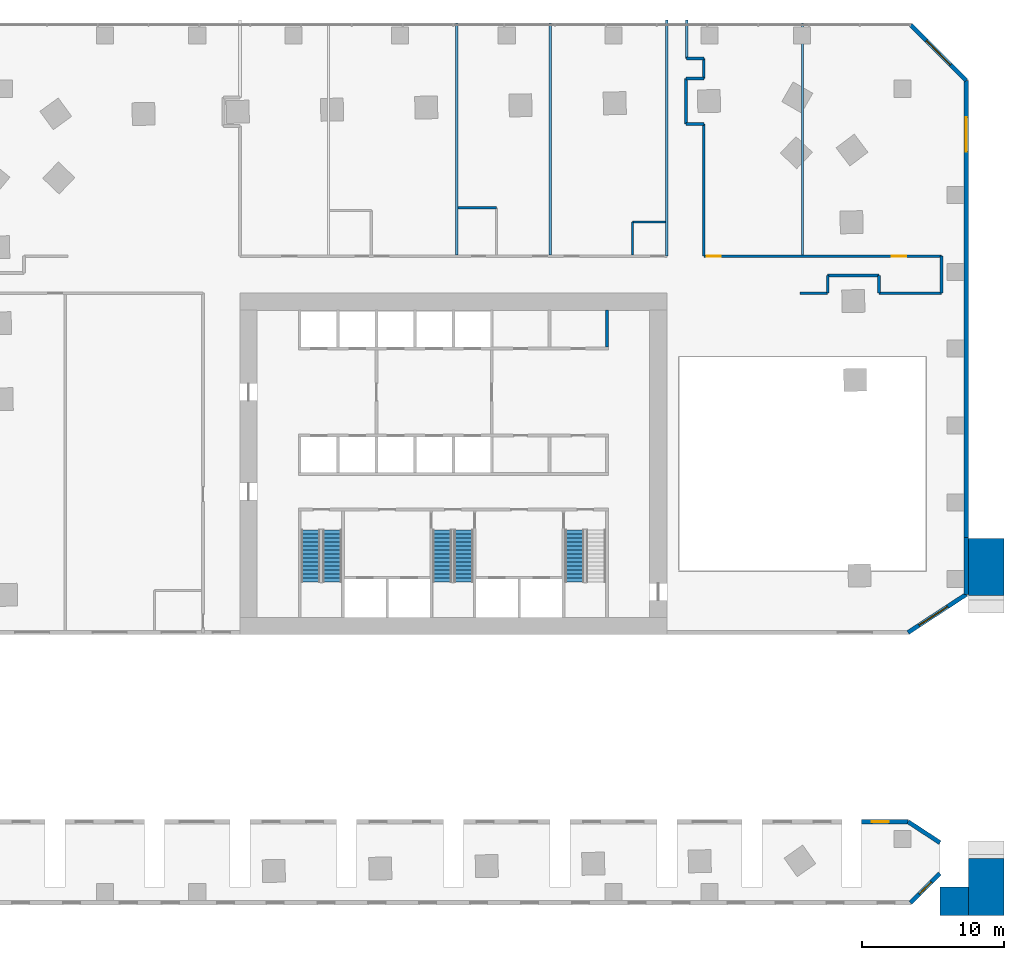
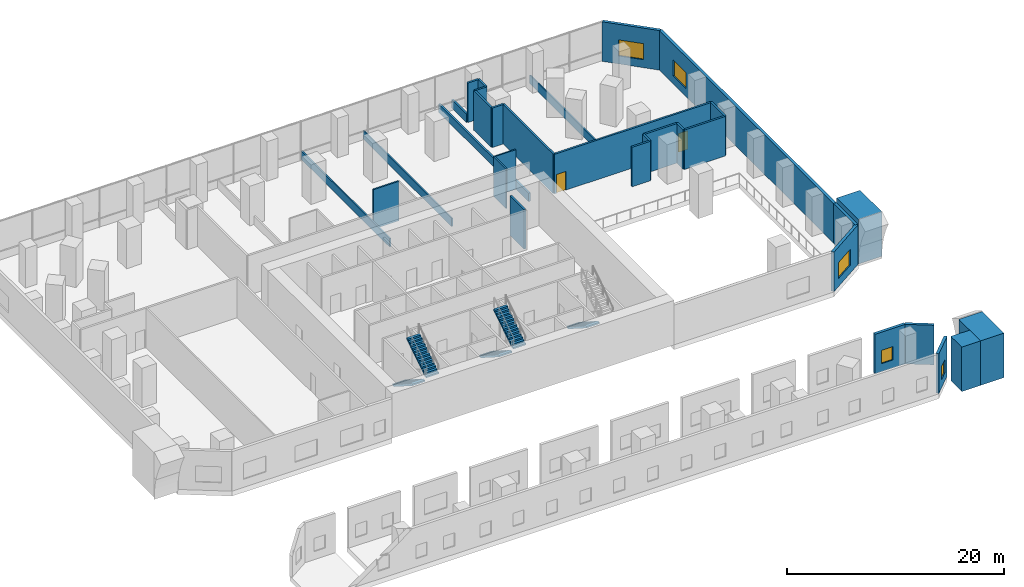
# One storey, part 9 of 12: 32 walls, 5 stair flights, 5 windows, 2 doors, 7 openings, 3 elements without a shape of their own.
"""IFC4 building model written with IfcOpenShell, lengths in metres."""

import ifcopenshell
import ifcopenshell.guid

model = None  # the IFC model being written
_history = None  # IfcOwnerHistory: only IFC2X3 demands one
_inside = {}  # id of a spatial element -> (the spatial element, [elements in it])
_under = {}  # id of a project, library or spatial element -> (it, [spatial elements below it])
_declared = {}  # id of a project -> (the project, [libraries it declares])
_typed = {}  # id of a type object -> (the type object, [elements of that type])
_made_of = {}  # id of a material, layer set ... -> (it, [elements and type objects made of it])


def new_model(schema):
    """Start an empty IFC model of exactly this schema.

    Asked for "IFC4X3", IfcOpenShell would pick the latest addendum, in which some entities
    have other attributes; the version numbers below select the first issue.
    IFC2X3 requires an IfcOwnerHistory on every rooted entity: one is made here for all.
    """
    global model, _history
    if schema == "IFC4X3":
        model = ifcopenshell.file(schema_version=(4, 3, 0, 0))
    else:
        model = ifcopenshell.file(schema=schema)
    _inside.clear()
    _under.clear()
    _declared.clear()
    _typed.clear()
    _made_of.clear()
    _history = None
    if model.schema == "IFC2X3":
        org = make("IfcOrganization", Name="unknown")
        user = make(
            "IfcPersonAndOrganization",
            ThePerson=make("IfcPerson", FamilyName="unknown"),
            TheOrganization=org,
        )
        app = make(
            "IfcApplication",
            ApplicationDeveloper=org,
            Version="unknown",
            ApplicationFullName="unknown",
            ApplicationIdentifier="unknown",
        )
        _history = make(
            "IfcOwnerHistory",
            OwningUser=user,
            OwningApplication=app,
            ChangeAction="ADDED",
            CreationDate=0,
        )
    return model


def make(cls, **values):
    """One entity of the class cls with the attributes given. An attribute that is None is left unset."""
    return model.create_entity(
        cls, **{name: value for name, value in values.items() if value is not None}
    )


def rooted(cls, **values):
    """An entity with a GlobalId (a new one), such as an element, a storey or a relation."""
    return make(cls, GlobalId=ifcopenshell.guid.new(), OwnerHistory=_history, **values)


def si_unit(unit_type, name, prefix=None):
    """IfcSIUnit, for example si_unit("LENGTHUNIT", "METRE", prefix="MILLI")."""
    return make("IfcSIUnit", UnitType=unit_type, Prefix=prefix, Name=name)


def assignment(units):
    """IfcUnitAssignment: the units of a project."""
    return None if units is None else make("IfcUnitAssignment", Units=units)


def point(xyz):
    """IfcCartesianPoint."""
    return None if xyz is None else make("IfcCartesianPoint", Coordinates=xyz)


def direction(xyz):
    """IfcDirection."""
    return None if xyz is None else make("IfcDirection", DirectionRatios=xyz)


def frame(location, z_axis=None, x_axis=None):
    """IfcAxis2Placement3D, a coordinate frame: its origin and axes. An axis left out is left unset."""
    return make(
        "IfcAxis2Placement3D",
        Location=point(location),
        Axis=direction(z_axis),
        RefDirection=direction(x_axis),
    )


def frame_2d(location, x_axis=None):
    """IfcAxis2Placement2D, a coordinate frame in the plane: its origin and x axis."""
    return make(
        "IfcAxis2Placement2D", Location=point(location), RefDirection=direction(x_axis)
    )


def origin():
    """The frame at (0, 0, 0) with its axes left unset."""
    return frame((0.0, 0.0, 0.0))


def place(relative_to, where):
    """IfcLocalPlacement: puts the frame where relative to a parent placement (None: the world)."""
    return make(
        "IfcLocalPlacement", PlacementRelTo=relative_to, RelativePlacement=where
    )


def context(
    kind, dimensions, precision=None, world=None, true_north=None, identifier=None
):
    """IfcGeometricRepresentationContext, for example the 3D "Model" context."""
    return make(
        "IfcGeometricRepresentationContext",
        ContextIdentifier=identifier,
        ContextType=kind,
        CoordinateSpaceDimension=dimensions,
        Precision=precision,
        WorldCoordinateSystem=world,
        TrueNorth=true_north,
    )


def subcontext(parent, identifier, kind, view, scale=None):
    """IfcGeometricRepresentationSubContext, for example "Body" below "Model"."""
    return make(
        "IfcGeometricRepresentationSubContext",
        ContextIdentifier=identifier,
        ContextType=kind,
        ParentContext=parent,
        TargetScale=scale,
        TargetView=view,
    )


def project(units=None, contexts=None):
    """IfcProject with its units and contexts."""
    return rooted(
        "IfcProject",
        Name="project",
        RepresentationContexts=contexts,
        UnitsInContext=assignment(units),
    )


def spatial(cls, under=None, at=None, **own):
    """A site, building, storey or space (cls), placed at a placement, below another one or the project."""
    s = rooted(cls, ObjectPlacement=at, **own)
    if under is not None:
        _under.setdefault(under.id(), (under, []))[1].append(s)
    return s


def polyline(points):
    """IfcPolyline through the points."""
    return make("IfcPolyline", Points=[point(p) for p in points])


def profile(cls, at=None, kind="AREA", **sizes):
    """A parametric profile (cls). Its sizes go by their IFC names, for example OverallWidth=200.0."""
    return make(cls, ProfileType=kind, Position=at, **sizes)


def rectangle(**sizes):
    """IfcRectangleProfileDef."""
    return profile("IfcRectangleProfileDef", **sizes)


def outline(outer, holes=None, kind="AREA"):
    """IfcArbitraryClosedProfileDef: a profile drawn as a closed curve; with holes, ...WithVoids."""
    if holes is None:
        return make("IfcArbitraryClosedProfileDef", ProfileType=kind, OuterCurve=outer)
    return make(
        "IfcArbitraryProfileDefWithVoids",
        ProfileType=kind,
        OuterCurve=outer,
        InnerCurves=holes,
    )


def extrude(swept, where, along, depth):
    """IfcExtrudedAreaSolid: the profile swept, set in the frame where, extruded along a direction by depth."""
    return make(
        "IfcExtrudedAreaSolid",
        SweptArea=swept,
        Position=where,
        ExtrudedDirection=direction(along),
        Depth=depth,
    )


def shape(context_of_items, identifier, shape_type, items):
    """IfcShapeRepresentation: the items that make up one representation, for example the "Body"."""
    return make(
        "IfcShapeRepresentation",
        ContextOfItems=context_of_items,
        RepresentationIdentifier=identifier,
        RepresentationType=shape_type,
        Items=items,
    )


def material(Name=None, Category=None):
    """IfcMaterial."""
    return make("IfcMaterial", Name=Name, Category=Category)


def layer(
    of_material, thickness, ventilated=None, Name=None, Category=None, Priority=None
):
    """IfcMaterialLayer: one layer of a wall or slab, of a material (None: an air gap)."""
    return make(
        "IfcMaterialLayer",
        Material=of_material,
        LayerThickness=thickness,
        IsVentilated=ventilated,
        Name=Name,
        Category=Category,
        Priority=Priority,
    )


def layer_set(layers, Name=None):
    """IfcMaterialLayerSet."""
    return make("IfcMaterialLayerSet", MaterialLayers=layers, LayerSetName=Name)


def made_of(thing, what):
    """Note that an element or type object is made of a material, layer set ...; save() writes the relation."""
    if what is not None:
        _made_of.setdefault(what.id(), (what, []))[1].append(thing)
    return thing


def type_object(cls, material=None, **own):
    """A type object (cls), such as IfcWallType, which elements share."""
    return made_of(rooted(cls, **own), material)


def element(
    cls,
    number,
    at=None,
    inside=None,
    cuts=None,
    type_object=None,
    material=None,
    context=None,
    identifier="Body",
    shape_type=None,
    held_by="IfcProductDefinitionShape",
    body=None,
    shapes=None,
    **own,
):
    """One element of the class cls, such as IfcWall. Its Tag is "e" and its number.

    at: its placement. inside: the storey or other place that contains it. cuts: it is an
    opening in that element (IfcRelVoidsElement). A single representation is given by context,
    identifier, shape_type and body (its items); several are given by shapes. held_by: the class
    of the entity that holds the representations. save() writes the other relations.
    """
    e = rooted(cls, Tag="e%d" % number, ObjectPlacement=at, **own)
    if body is not None:
        shapes = [shape(context, identifier, shape_type, body)]
    if shapes is not None:
        e.Representation = make(held_by, Representations=shapes)
    if inside is not None:
        _inside.setdefault(inside.id(), (inside, []))[1].append(e)
    if cuts is not None:
        rooted(
            "IfcRelVoidsElement", RelatingBuildingElement=cuts, RelatedOpeningElement=e
        )
    if type_object is not None:
        _typed.setdefault(type_object.id(), (type_object, []))[1].append(e)
    return made_of(e, material)


def fill(opening, filler):
    """IfcRelFillsElement: the door or window that sits in an opening."""
    return rooted(
        "IfcRelFillsElement",
        RelatingOpeningElement=opening,
        RelatedBuildingElement=filler,
    )


def aggregate(whole, parts):
    """IfcRelAggregates: a whole, such as a stair, and the parts it consists of."""
    return rooted("IfcRelAggregates", RelatingObject=whole, RelatedObjects=parts)


def save(model, path):
    """Write the relations noted so far, then the file.

    IfcRelAggregates (storeys below a building ...), IfcRelContainedInSpatialStructure (elements
    in a storey), IfcRelDefinesByType, IfcRelAssociatesMaterial and IfcRelDeclares: one each for
    every whole, place, type object, material and project.
    """
    for whole, parts in _under.values():
        aggregate(whole, parts)
    for where, things in _inside.values():
        rooted(
            "IfcRelContainedInSpatialStructure",
            RelatedElements=things,
            RelatingStructure=where,
        )
    for kind, things in _typed.values():
        rooted("IfcRelDefinesByType", RelatedObjects=things, RelatingType=kind)
    for what, things in _made_of.values():
        rooted("IfcRelAssociatesMaterial", RelatedObjects=things, RelatingMaterial=what)
    for by, libraries in _declared.values():
        rooted("IfcRelDeclares", RelatingContext=by, RelatedDefinitions=libraries)
    model.write(path)


model = new_model("IFC4")

# Units and contexts
model_context = context("Model", 3, precision=1e-05, world=origin(), true_north=direction((0.0, 1.0)))
body_context = subcontext(model_context, "Body", "Model", "MODEL_VIEW")
ifc_project = project(units=[si_unit("LENGTHUNIT", "METRE"), si_unit("AREAUNIT", "SQUARE_METRE"), si_unit("VOLUMEUNIT", "CUBIC_METRE"), si_unit("PLANEANGLEUNIT", "RADIAN"), si_unit("MASSUNIT", "GRAM", prefix="KILO")], contexts=[model_context])

# Site, building, storey
site_placement = place(None, origin())
site = spatial("IfcSite", under=ifc_project, at=site_placement, CompositionType="ELEMENT")
building_placement = place(site_placement, origin())
building = spatial("IfcBuilding", under=site, at=building_placement, Name="Mangrove Gate Tower", CompositionType="ELEMENT")
storey_placement = place(building_placement, frame((0.0, 0.0, 11.0)))
storey = spatial("IfcBuildingStorey", under=building, at=storey_placement, Name="L02", CompositionType="ELEMENT", Elevation=11.0)

# Walls
ifc_material_1 = material(Name="Concrete C32/40", Category="concrete")
ifc_layer_1 = layer(ifc_material_1, 0.199951171875)
ifc_layer_set_1 = layer_set([ifc_layer_1], Name="Core room wall 200 C32/40")
wall_type_1 = type_object("IfcWallType", Name="Core room wall 200 C32/40", PredefinedType="STANDARD", material=ifc_layer_set_1)
wall_1_placement = place(storey_placement, frame((10.800048828125, 8.199951171875, 0.0), z_axis=(0.0, 0.0, 1.0), x_axis=(0.0, 1.0, 0.0)))
element("IfcWall", 1, at=wall_1_placement, inside=storey, type_object=wall_type_1, Name="WALL-L02-CORE-34", PredefinedType="STANDARD", context=body_context, shape_type="SweptSolid", body=[
    extrude(rectangle(XDim=2.60009765625, YDim=0.199951171875, at=frame_2d((1.300048828125, 0.0))), origin(), (0.0, 0.0, 1.0), 4.449951171875),
])
ifc_material_2 = material(Name="Gypsum board on steel stud, EI 60", Category="steel")
ifc_layer_2 = layer(ifc_material_2, 0.199951171875)
ifc_layer_set_2 = layer_set([ifc_layer_2], Name="Corridor wall EI 60")
wall_type_2 = type_object("IfcWallType", Name="Corridor wall EI 60", PredefinedType="PARTITIONING", material=ifc_layer_set_2)
wall_2_placement = place(storey_placement, frame((24.345947265625, 12.0, 0.0), z_axis=(0.0, 0.0, 1.0), x_axis=(1.0, 0.0, 0.0)))
element("IfcWall", 2, at=wall_2_placement, inside=storey, type_object=wall_type_2, Name="WALL-L02-007", PredefinedType="PARTITIONING", context=body_context, shape_type="SweptSolid", body=[
    extrude(rectangle(XDim=1.964111328125, YDim=0.199951171875, at=frame_2d((0.98193359375, 0.0))), origin(), (0.0, 0.0, 1.0), 4.449951171875),
])
wall_3_placement = place(storey_placement, frame((26.31005859375, 12.0, 0.0), z_axis=(0.0, 0.0, 1.0), x_axis=(0.0, 1.0, 0.0)))
element("IfcWall", 3, at=wall_3_placement, inside=storey, type_object=wall_type_2, Name="WALL-L02-008", PredefinedType="PARTITIONING", context=body_context, shape_type="SweptSolid", body=[
    extrude(rectangle(XDim=1.243896484375, YDim=0.199951171875, at=frame_2d((0.6220703125, 0.0))), origin(), (0.0, 0.0, 1.0), 4.449951171875),
])
wall_4_placement = place(storey_placement, frame((29.909912109375, 12.0, 0.0), z_axis=(0.0, 0.0, 1.0), x_axis=(1.0, 0.0, 0.0)))
element("IfcWall", 4, at=wall_4_placement, inside=storey, type_object=wall_type_2, Name="WALL-L02-009", PredefinedType="PARTITIONING", context=body_context, shape_type="SweptSolid", body=[
    extrude(rectangle(XDim=4.39013671875, YDim=0.199951171875, at=frame_2d((2.195068359375, 0.0))), origin(), (0.0, 0.0, 1.0), 4.449951171875),
])
wall_5_placement = place(storey_placement, frame((29.909912109375, 12.0, 0.0), z_axis=(0.0, 0.0, 1.0), x_axis=(0.0, 1.0, 0.0)))
element("IfcWall", 5, at=wall_5_placement, inside=storey, type_object=wall_type_2, Name="WALL-L02-010", PredefinedType="PARTITIONING", context=body_context, shape_type="SweptSolid", body=[
    extrude(rectangle(XDim=1.243896484375, YDim=0.199951171875, at=frame_2d((0.6220703125, 0.0))), origin(), (0.0, 0.0, 1.0), 4.449951171875),
])
wall_6_placement = place(storey_placement, frame((34.300048828125, 12.0, 0.0), z_axis=(0.0, 0.0, 1.0), x_axis=(0.0, 1.0, 0.0)))
element("IfcWall", 6, at=wall_6_placement, inside=storey, type_object=wall_type_2, Name="WALL-L02-011", PredefinedType="PARTITIONING", context=body_context, shape_type="SweptSolid", body=[
    extrude(rectangle(XDim=2.60009765625, YDim=0.199951171875, at=frame_2d((1.300048828125, 0.0))), origin(), (0.0, 0.0, 1.0), 4.449951171875),
])
wall_7_placement = place(storey_placement, frame((26.31005859375, 13.239990234375, 0.0), z_axis=(0.0, 0.0, 1.0), x_axis=(1.0, 0.0, 0.0)))
element("IfcWall", 7, at=wall_7_placement, inside=storey, type_object=wall_type_2, Name="WALL-L02-012", PredefinedType="PARTITIONING", context=body_context, shape_type="SweptSolid", body=[
    extrude(rectangle(XDim=3.599853515625, YDim=0.199951171875, at=frame_2d((1.7998046875, 0.0))), origin(), (0.0, 0.0, 1.0), 4.449951171875),
])
wall_8_placement = place(storey_placement, frame((15.0, 14.60009765625, 0.0), z_axis=(0.0, 0.0, 1.0), x_axis=(0.0, 1.0, 0.0)))
element("IfcWall", 8, at=wall_8_placement, inside=storey, type_object=wall_type_2, Name="WALL-L02-024", PredefinedType="PARTITIONING", context=body_context, shape_type="SweptSolid", body=[
    extrude(rectangle(XDim=16.599853515625, YDim=0.199951171875, at=frame_2d((8.2998046875, 0.0))), origin(), (0.0, 0.0, 1.0), 0.93994140625),
])

# Wall, openings, doors
wall_9_placement = place(storey_placement, frame((17.60009765625, 14.60009765625, 0.0), z_axis=(0.0, 0.0, 1.0), x_axis=(1.0, 0.0, 0.0)))
wall_9 = element("IfcWall", 9, at=wall_9_placement, inside=storey, type_object=wall_type_2, Name="WALL-L02-025", PredefinedType="PARTITIONING", context=body_context, shape_type="SweptSolid", body=[
    extrude(rectangle(XDim=16.699951171875, YDim=0.199951171875, at=frame_2d((8.35009765625, 0.0))), origin(), (0.0, 0.0, 1.0), 4.449951171875),
])
opening_1_placement = place(wall_9_placement, frame((13.219970703125, 0.0, 0.0)))
opening_1 = element("IfcOpeningElement", 10, at=opening_1_placement, cuts=wall_9, Name="Opening AD", PredefinedType="OPENING", context=body_context, shape_type="SweptSolid", body=[
    extrude(rectangle(XDim=1.0, YDim=2.10009765625, at=frame_2d((0.5, 1.050048828125))), frame((0.0, 0.10986328125, 0.0), z_axis=(0.0, -1.0, 0.0), x_axis=(1.0, 0.0, 0.0)), (0.0, 0.0, 1.0), 0.219970703125),
])
opening_2_placement = place(wall_9_placement, frame((0.199951171875, 0.0, 0.0)))
opening_2 = element("IfcOpeningElement", 11, at=opening_2_placement, cuts=wall_9, Name="Opening AD", PredefinedType="OPENING", context=body_context, shape_type="SweptSolid", body=[
    extrude(rectangle(XDim=1.0, YDim=2.10009765625, at=frame_2d((0.5, 1.050048828125))), frame((0.0, 0.10986328125, 0.0), z_axis=(0.0, -1.0, 0.0), x_axis=(1.0, 0.0, 0.0)), (0.0, 0.0, 1.0), 0.219970703125),
])
ifc_material_3 = material(Name="Timber door leaf", Category="wood")
door_type = type_object("IfcDoorType", Name="Amenity door 1000", OperationType="SINGLE_SWING_LEFT", PredefinedType="DOOR", material=ifc_material_3)
door_1_placement = place(opening_1_placement, origin())
door_1 = element("IfcDoor", 12, at=door_1_placement, inside=storey, type_object=door_type, Name="DOOR-L02-POD-03", OperationType="SINGLE_SWING_LEFT", OverallHeight=2.10009765625, OverallWidth=1.0, PredefinedType="DOOR", context=body_context, shape_type="SweptSolid", body=[
    extrude(rectangle(XDim=1.0, YDim=2.10009765625, at=frame_2d((0.5, 1.050048828125))), frame((0.0, 0.02490234375, 0.0), z_axis=(0.0, -1.0, 0.0), x_axis=(1.0, 0.0, 0.0)), (0.0, 0.0, 1.0), 0.050048828125),
])
fill(opening_1, door_1)
door_2_placement = place(opening_2_placement, origin())
door_2 = element("IfcDoor", 13, at=door_2_placement, inside=storey, type_object=door_type, Name="DOOR-L02-POD-08", OperationType="SINGLE_SWING_RIGHT", OverallHeight=2.10009765625, OverallWidth=1.0, PredefinedType="DOOR", context=body_context, shape_type="SweptSolid", body=[
    extrude(rectangle(XDim=1.0, YDim=2.10009765625, at=frame_2d((0.5, 1.050048828125))), frame((0.0, 0.02490234375, 0.0), z_axis=(0.0, -1.0, 0.0), x_axis=(1.0, 0.0, 0.0)), (0.0, 0.0, 1.0), 0.050048828125),
])
fill(opening_2, door_2)

# Walls
wall_10_placement = place(storey_placement, frame((17.60009765625, 14.60009765625, 0.0), z_axis=(0.0, 0.0, 1.0), x_axis=(0.0, 1.0, 0.0)))
element("IfcWall", 14, at=wall_10_placement, inside=storey, type_object=wall_type_2, Name="WALL-L02-026", PredefinedType="PARTITIONING", context=body_context, shape_type="SweptSolid", body=[
    extrude(rectangle(XDim=9.30078125, YDim=0.199951171875, at=frame_2d((4.650390625, 0.0))), origin(), (0.0, 0.0, 1.0), 4.449951171875),
])
wall_11_placement = place(storey_placement, frame((16.364013671875, 23.89990234375, 0.0), z_axis=(0.0, 0.0, 1.0), x_axis=(1.0, 0.0, 0.0)))
element("IfcWall", 15, at=wall_11_placement, inside=storey, type_object=wall_type_2, Name="WALL-L02-033", PredefinedType="PARTITIONING", context=body_context, shape_type="SweptSolid", body=[
    extrude(rectangle(XDim=1.236083984375, YDim=0.199951171875, at=frame_2d((0.6181640625, 0.0))), origin(), (0.0, 0.0, 1.0), 4.449951171875),
])
wall_12_placement = place(storey_placement, frame((16.360107421875, 23.90087890625, 0.0), z_axis=(0.0, 0.0, 1.0), x_axis=(0.0, 1.0, 0.0)))
element("IfcWall", 16, at=wall_12_placement, inside=storey, type_object=wall_type_2, Name="WALL-L02-034", PredefinedType="PARTITIONING", context=body_context, shape_type="SweptSolid", body=[
    extrude(rectangle(XDim=3.2001953125, YDim=0.199951171875, at=frame_2d((1.60009765625, 0.0))), origin(), (0.0, 0.0, 1.0), 4.449951171875),
])
wall_13_placement = place(storey_placement, frame((16.364013671875, 27.10009765625, 0.0), z_axis=(0.0, 0.0, 1.0), x_axis=(1.0, 0.0, 0.0)))
element("IfcWall", 17, at=wall_13_placement, inside=storey, type_object=wall_type_2, Name="WALL-L02-037", PredefinedType="PARTITIONING", context=body_context, shape_type="SweptSolid", body=[
    extrude(rectangle(XDim=1.236083984375, YDim=0.199951171875, at=frame_2d((0.6181640625, 0.0))), origin(), (0.0, 0.0, 1.0), 4.449951171875),
])
wall_14_placement = place(storey_placement, frame((17.60009765625, 27.10107421875, 0.0), z_axis=(0.0, 0.0, 1.0), x_axis=(0.0, 1.0, 0.0)))
element("IfcWall", 18, at=wall_14_placement, inside=storey, type_object=wall_type_2, Name="WALL-L02-038", PredefinedType="PARTITIONING", context=body_context, shape_type="SweptSolid", body=[
    extrude(rectangle(XDim=1.39892578125, YDim=0.199951171875, at=frame_2d((0.699462890625, 0.0))), origin(), (0.0, 0.0, 1.0), 4.449951171875),
])
wall_15_placement = place(storey_placement, frame((16.39990234375, 28.5, 0.0), z_axis=(0.0, 0.0, 1.0), x_axis=(1.0, 0.0, 0.0)))
element("IfcWall", 19, at=wall_15_placement, inside=storey, type_object=wall_type_2, Name="WALL-L02-039", PredefinedType="PARTITIONING", context=body_context, shape_type="SweptSolid", body=[
    extrude(rectangle(XDim=1.2001953125, YDim=0.199951171875, at=frame_2d((0.60009765625, 0.0))), origin(), (0.0, 0.0, 1.0), 4.449951171875),
])
wall_16_placement = place(storey_placement, frame((16.39990234375, 28.5, 0.0), z_axis=(0.0, 0.0, 1.0), x_axis=(0.0, 1.0, 0.0)))
element("IfcWall", 20, at=wall_16_placement, inside=storey, type_object=wall_type_2, Name="WALL-L02-040", PredefinedType="PARTITIONING", context=body_context, shape_type="SweptSolid", body=[
    extrude(rectangle(XDim=2.699951171875, YDim=0.199951171875, at=frame_2d((1.35009765625, 0.0))), origin(), (0.0, 0.0, 1.0), 0.93994140625),
])
ifc_material_4 = material(Name="Limestone", Category="masonry")
ifc_layer_3 = layer(ifc_material_4, 0.0400390625, Name="Limestone cladding")
ifc_material_5 = material(Name="Ventilated air gap")
ifc_layer_4 = layer(ifc_material_5, 0.0400390625, Name="Ventilated cavity")
ifc_material_6 = material(Name="Mineral wool insulation")
ifc_layer_5 = layer(ifc_material_6, 0.06005859375, Name="Insulation")
ifc_material_7 = material(Name="Breather membrane")
ifc_layer_6 = layer(ifc_material_7, 0.001953125, Name="Breather membrane")
ifc_material_8 = material(Name="Concrete C20/25 blockwork", Category="masonry")
ifc_layer_7 = layer(ifc_material_8, 0.14990234375, Name="Blockwork backing wall")
ifc_material_9 = material(Name="Gypsum plaster")
ifc_layer_8 = layer(ifc_material_9, 0.008056640625, Name="Internal plaster")
ifc_layer_set_3 = layer_set([ifc_layer_3, ifc_layer_4, ifc_layer_5, ifc_layer_6, ifc_layer_7, ifc_layer_8], Name="External wall 300 limestone cladding")
wall_type_3 = type_object("IfcWallType", Name="External wall 300 limestone cladding", PredefinedType="SOLIDWALL", material=ifc_layer_set_3)
wall_17_placement = place(storey_placement, frame((34.199951171875, -26.6201171875, 0.0), z_axis=(0.0, 0.0, 1.0), x_axis=(-0.83655747026, 0.547879182806, 0.0)))
element("IfcWall", 21, at=wall_17_placement, inside=storey, type_object=wall_type_3, Name="WALL-L02-N0", PredefinedType="SOLIDWALL", context=body_context, shape_type="SweptSolid", body=[
    extrude(rectangle(XDim=2.683349609375, YDim=0.300048828125, at=frame_2d((1.341796875, 0.0))), origin(), (0.0, 0.0, 1.0), 4.449951171875),
])

# Wall, opening, window
wall_18_placement = place(storey_placement, frame((31.955078125, -25.14990234375, 0.0), z_axis=(0.0, 0.0, 1.0), x_axis=(-1.0, 0.0, 0.0)))
wall_18 = element("IfcWall", 22, at=wall_18_placement, inside=storey, type_object=wall_type_3, Name="WALL-L02-N1", PredefinedType="SOLIDWALL", context=body_context, shape_type="SweptSolid", body=[
    extrude(rectangle(XDim=3.255126953125, YDim=0.300048828125, at=frame_2d((1.62744140625, 0.0))), origin(), (0.0, 0.0, 1.0), 4.449951171875),
])
opening_3_placement = place(wall_18_placement, frame((1.35009765625, 0.0, 0.89990234375)))
opening_3 = element("IfcOpeningElement", 23, at=opening_3_placement, cuts=wall_18, Name="Opening W1", PredefinedType="OPENING", context=body_context, shape_type="SweptSolid", body=[
    extrude(rectangle(XDim=1.199951171875, YDim=1.5, at=frame_2d((0.60009765625, 0.75))), frame((0.0, 0.159912109375, 0.0), z_axis=(0.0, -1.0, 0.0), x_axis=(1.0, 0.0, 0.0)), (0.0, 0.0, 1.0), 0.320068359375),
])
ifc_material_10 = material(Name="Aluminium frame with double-glazed low-e glass", Category="aluminium")
window_type_1 = type_object("IfcWindowType", Name="Side lite 1200x1500", PartitioningType="SINGLE_PANEL", PredefinedType="WINDOW", material=ifc_material_10)
window_1_placement = place(opening_3_placement, origin())
window_1 = element("IfcWindow", 24, at=window_1_placement, inside=storey, type_object=window_type_1, Name="WIN-L02-N1-1", OverallHeight=1.5, OverallWidth=1.199951171875, PartitioningType="SINGLE_PANEL", PredefinedType="WINDOW", context=body_context, shape_type="SweptSolid", body=[
    extrude(rectangle(XDim=1.199951171875, YDim=1.5, at=frame_2d((0.60009765625, 0.75))), frame((0.0, 0.030029296875, 0.0), z_axis=(0.0, -1.0, 0.0), x_axis=(1.0, 0.0, 0.0)), (0.0, 0.0, 1.0), 0.06005859375),
])
fill(opening_3, window_1)

wall_19_placement = place(storey_placement, frame((32.137939453125, -30.85009765625, 0.0), z_axis=(0.0, 0.0, 1.0), x_axis=(0.707106781187, 0.707106781187, 0.0)))
wall_19 = element("IfcWall", 25, at=wall_19_placement, inside=storey, type_object=wall_type_3, Name="WALL-L02-E5", PredefinedType="SOLIDWALL", context=body_context, shape_type="SweptSolid", body=[
    extrude(rectangle(XDim=2.916015625, YDim=0.300048828125, at=frame_2d((1.4580078125, 0.0))), origin(), (0.0, 0.0, 1.0), 4.449951171875),
])
opening_4_placement = place(wall_19_placement, frame((0.87109375, 0.0, 0.89990234375)))
opening_4 = element("IfcOpeningElement", 26, at=opening_4_placement, cuts=wall_19, Name="Opening W1", PredefinedType="OPENING", context=body_context, shape_type="SweptSolid", body=[
    extrude(rectangle(XDim=1.199951171875, YDim=1.5, at=frame_2d((0.60009765625, 0.75))), frame((0.0, 0.159912109375, 0.0), z_axis=(0.0, -1.0, 0.0), x_axis=(1.0, 0.0, 0.0)), (0.0, 0.0, 1.0), 0.320068359375),
])
window_2_placement = place(opening_4_placement, origin())
window_2 = element("IfcWindow", 27, at=window_2_placement, inside=storey, type_object=window_type_1, Name="WIN-L02-E5-1", OverallHeight=1.5, OverallWidth=1.199951171875, PartitioningType="SINGLE_PANEL", PredefinedType="WINDOW", context=body_context, shape_type="SweptSolid", body=[
    extrude(rectangle(XDim=1.199951171875, YDim=1.5, at=frame_2d((0.60009765625, 0.75))), frame((0.0, 0.030029296875, 0.0), z_axis=(0.0, -1.0, 0.0), x_axis=(1.0, 0.0, 0.0)), (0.0, 0.0, 1.0), 0.06005859375),
])
fill(opening_4, window_2)

wall_20_placement = place(storey_placement, frame((31.955078125, -11.85009765625, 0.0), z_axis=(0.0, 0.0, 1.0), x_axis=(0.836625876117, 0.54777471958, 0.0)))
wall_20 = element("IfcWall", 28, at=wall_20_placement, inside=storey, type_object=wall_type_3, Name="WALL-L02-S9", PredefinedType="SOLIDWALL", context=body_context, shape_type="SweptSolid", body=[
    extrude(rectangle(XDim=4.89453125, YDim=0.300048828125, at=frame_2d((2.447265625, 0.0))), origin(), (0.0, 0.0, 1.0), 4.449951171875),
])
opening_5_placement = place(wall_20_placement, frame((0.93310546875, 0.0, 0.89990234375)))
opening_5 = element("IfcOpeningElement", 29, at=opening_5_placement, cuts=wall_20, Name="Opening W3", PredefinedType="OPENING", context=body_context, shape_type="SweptSolid", body=[
    extrude(rectangle(XDim=2.39990234375, YDim=1.800048828125, at=frame_2d((1.199951171875, 0.89990234375))), frame((0.0, 0.159912109375, 0.0), z_axis=(0.0, -1.0, 0.0), x_axis=(1.0, 0.0, 0.0)), (0.0, 0.0, 1.0), 0.320068359375),
])
ifc_material_11 = material(Name="Aluminium frame with double-glazed low-e glass", Category="aluminium")
window_type_2 = type_object("IfcWindowType", Name="Podium window 2400x1800", PartitioningType="DOUBLE_PANEL_VERTICAL", PredefinedType="WINDOW", material=ifc_material_11)
window_3_placement = place(opening_5_placement, origin())
window_3 = element("IfcWindow", 30, at=window_3_placement, inside=storey, type_object=window_type_2, Name="WIN-L02-S9-1", OverallHeight=1.800048828125, OverallWidth=2.39990234375, PartitioningType="DOUBLE_PANEL_VERTICAL", PredefinedType="WINDOW", context=body_context, shape_type="SweptSolid", body=[
    extrude(rectangle(XDim=2.39990234375, YDim=1.800048828125, at=frame_2d((1.199951171875, 0.89990234375))), frame((0.0, 0.030029296875, 0.0), z_axis=(0.0, -1.0, 0.0), x_axis=(1.0, 0.0, 0.0)), (0.0, 0.0, 1.0), 0.06005859375),
])
fill(opening_5, window_3)

# Wall
wall_21_placement = place(storey_placement, frame((36.050048828125, -9.1689453125, 0.0), z_axis=(0.0, 0.0, 1.0), x_axis=(0.0, 1.0, 0.0)))
element("IfcWall", 31, at=wall_21_placement, inside=storey, type_object=wall_type_3, Name="WALL-L02-E3100", PredefinedType="SOLIDWALL", context=body_context, shape_type="SweptSolid", body=[
    extrude(rectangle(XDim=3.98388671875, YDim=0.300048828125, at=frame_2d((1.991943359375, 0.0))), origin(), (0.0, 0.0, 1.0), 4.449951171875),
])

# Wall, opening, window
wall_22_placement = place(storey_placement, frame((36.050048828125, -5.18505859375, 0.0), z_axis=(0.0, 0.0, 1.0), x_axis=(0.0, 1.0, 0.0)))
wall_22 = element("IfcWall", 32, at=wall_22_placement, inside=storey, type_object=wall_type_3, Name="WALL-L02-E10", PredefinedType="SOLIDWALL", context=body_context, shape_type="SweptSolid", body=[
    extrude(rectangle(XDim=32.123046875, YDim=0.300048828125, at=frame_2d((16.0615234375, 0.0))), origin(), (0.0, 0.0, 1.0), 4.449951171875),
])
opening_6_placement = place(wall_22_placement, frame((27.135009765625, 0.0, 0.89990234375)))
opening_6 = element("IfcOpeningElement", 33, at=opening_6_placement, cuts=wall_22, Name="Opening W3", PredefinedType="OPENING", context=body_context, shape_type="SweptSolid", body=[
    extrude(rectangle(XDim=2.39990234375, YDim=1.800048828125, at=frame_2d((1.199951171875, 0.89990234375))), frame((0.0, 0.159912109375, 0.0), z_axis=(0.0, -1.0, 0.0), x_axis=(1.0, 0.0, 0.0)), (0.0, 0.0, 1.0), 0.320068359375),
])
window_4_placement = place(opening_6_placement, origin())
window_4 = element("IfcWindow", 34, at=window_4_placement, inside=storey, type_object=window_type_2, Name="WIN-L02-E10-1", OverallHeight=1.800048828125, OverallWidth=2.39990234375, PartitioningType="DOUBLE_PANEL_VERTICAL", PredefinedType="WINDOW", context=body_context, shape_type="SweptSolid", body=[
    extrude(rectangle(XDim=2.39990234375, YDim=1.800048828125, at=frame_2d((1.199951171875, 0.89990234375))), frame((0.0, 0.030029296875, 0.0), z_axis=(0.0, -1.0, 0.0), x_axis=(1.0, 0.0, 0.0)), (0.0, 0.0, 1.0), 0.06005859375),
])
fill(opening_6, window_4)

wall_23_placement = place(storey_placement, frame((36.050048828125, 26.93798828125, 0.0), z_axis=(0.0, 0.0, 1.0), x_axis=(-0.707106781187, 0.707106781187, 0.0)))
wall_23 = element("IfcWall", 35, at=wall_23_placement, inside=storey, type_object=wall_type_3, Name="WALL-L02-E11", PredefinedType="SOLIDWALL", context=body_context, shape_type="SweptSolid", body=[
    extrude(rectangle(XDim=5.532470703125, YDim=0.300048828125, at=frame_2d((2.76611328125, 0.0))), origin(), (0.0, 0.0, 1.0), 4.449951171875),
])
opening_7_placement = place(wall_23_placement, frame((1.56591796875, 0.0, 0.89990234375)))
opening_7 = element("IfcOpeningElement", 36, at=opening_7_placement, cuts=wall_23, Name="Opening W3", PredefinedType="OPENING", context=body_context, shape_type="SweptSolid", body=[
    extrude(rectangle(XDim=2.39990234375, YDim=1.800048828125, at=frame_2d((1.199951171875, 0.89990234375))), frame((0.0, 0.159912109375, 0.0), z_axis=(0.0, -1.0, 0.0), x_axis=(1.0, 0.0, 0.0)), (0.0, 0.0, 1.0), 0.320068359375),
])
window_5_placement = place(opening_7_placement, origin())
window_5 = element("IfcWindow", 37, at=window_5_placement, inside=storey, type_object=window_type_2, Name="WIN-L02-E11-1", OverallHeight=1.800048828125, OverallWidth=2.39990234375, PartitioningType="DOUBLE_PANEL_VERTICAL", PredefinedType="WINDOW", context=body_context, shape_type="SweptSolid", body=[
    extrude(rectangle(XDim=2.39990234375, YDim=1.800048828125, at=frame_2d((1.199951171875, 0.89990234375))), frame((0.0, 0.030029296875, 0.0), z_axis=(0.0, -1.0, 0.0), x_axis=(1.0, 0.0, 0.0)), (0.0, 0.0, 1.0), 0.06005859375),
])
fill(opening_7, window_5)

# Walls
ifc_material_12 = material(Name="Gypsum board on steel stud, EI 60", Category="steel")
ifc_layer_9 = layer(ifc_material_12, 0.14990234375)
ifc_layer_set_4 = layer_set([ifc_layer_9], Name="Party wall 150 EI 60")
wall_type_4 = type_object("IfcWallType", Name="Party wall 150 EI 60", PredefinedType="PARTITIONING", material=ifc_layer_set_4)
for number, where, z_axis, x_axis, name in (
    (38, (0.239990234375, 14.699951171875, 0.0), (0.0, 0.0, 1.0), (0.0, 1.0, 0.0), "WALL-L02-020"),
    (39, (6.81005859375, 14.699951171875, 0.0), (0.0, 0.0, 1.0), (0.0, 1.0, 0.0), "WALL-L02-022"),
):
    element("IfcWall", number, at=place(storey_placement, frame(where, z_axis=z_axis, x_axis=x_axis)), inside=storey, type_object=wall_type_4, Name=name, PredefinedType="PARTITIONING", context=body_context, shape_type="SweptSolid", body=[
        extrude(rectangle(XDim=16.300048828125, YDim=0.14990234375, at=frame_2d((8.14990234375, 0.0))), origin(), (0.0, 0.0, 1.0), 0.93994140625),
    ])
wall_24_placement = place(storey_placement, frame((12.60009765625, 14.699951171875, 0.0), z_axis=(0.0, 0.0, 1.0), x_axis=(0.0, 1.0, 0.0)))
element("IfcWall", 40, at=wall_24_placement, inside=storey, type_object=wall_type_4, Name="WALL-L02-023", PredefinedType="PARTITIONING", context=body_context, shape_type="SweptSolid", body=[
    extrude(rectangle(XDim=2.300048828125, YDim=0.14990234375, at=frame_2d((1.14990234375, 0.0))), origin(), (0.0, 0.0, 1.0), 4.449951171875),
])
wall_25_placement = place(storey_placement, frame((24.550048828125, 14.699951171875, 0.0), z_axis=(0.0, 0.0, 1.0), x_axis=(0.0, 1.0, 0.0)))
element("IfcWall", 41, at=wall_25_placement, inside=storey, type_object=wall_type_4, Name="WALL-L02-027", PredefinedType="PARTITIONING", context=body_context, shape_type="SweptSolid", body=[
    extrude(rectangle(XDim=16.300048828125, YDim=0.14990234375, at=frame_2d((8.14990234375, 0.0))), origin(), (0.0, 0.0, 1.0), 0.93994140625),
])
wall_26_placement = place(storey_placement, frame((12.60009765625, 17.0, 0.0), z_axis=(0.0, 0.0, 1.0), x_axis=(1.0, 0.0, 0.0)))
element("IfcWall", 42, at=wall_26_placement, inside=storey, type_object=wall_type_4, Name="WALL-L02-028", PredefinedType="PARTITIONING", context=body_context, shape_type="SweptSolid", body=[
    extrude(rectangle(XDim=2.2998046875, YDim=0.14990234375, at=frame_2d((1.14990234375, 0.0))), origin(), (0.0, 0.0, 1.0), 4.449951171875),
])
wall_27_placement = place(storey_placement, frame((0.31494140625, 18.0, 0.0), z_axis=(0.0, 0.0, 1.0), x_axis=(1.0, 0.0, 0.0)))
element("IfcWall", 43, at=wall_27_placement, inside=storey, type_object=wall_type_4, Name="WALL-L02-030", PredefinedType="PARTITIONING", context=body_context, shape_type="SweptSolid", body=[
    extrude(rectangle(XDim=2.72509765625, YDim=0.14990234375, at=frame_2d((1.362548828125, 0.0))), origin(), (0.0, 0.0, 1.0), 4.449951171875),
])
ifc_layer_10 = layer(ifc_material_4, 0.06005859375, Name="Limestone cladding")
ifc_material_13 = material(Name="Concrete C40/50", Category="concrete")
ifc_layer_11 = layer(ifc_material_13, 2.340087890625, Name="Gate core wall")
ifc_layer_12 = layer(ifc_material_4, 0.10009765625, Name="Limestone reveal lining")
ifc_layer_set_5 = layer_set([ifc_layer_10, ifc_layer_11, ifc_layer_12], Name="Stone gate wall 2500")
wall_type_5 = type_object("IfcWallType", Name="Stone gate wall 2500", PredefinedType="STANDARD", material=ifc_layer_set_5)
for number, where, z_axis, x_axis, name in (
    (44, (37.449951171875, -31.75, 0.0), (0.0, 0.0, 1.0), (0.0, 1.0, 0.0), "ARCH PIER E 1"),
    (45, (37.449951171875, -9.25, 0.0), (0.0, 0.0, 1.0), (0.0, 1.0, 0.0), "ARCH PIER E 2"),
):
    element("IfcWall", number, at=place(storey_placement, frame(where, z_axis=z_axis, x_axis=x_axis)), inside=storey, type_object=wall_type_5, Name=name, PredefinedType="STANDARD", context=body_context, shape_type="SweptSolid", body=[
        extrude(rectangle(XDim=4.0, YDim=2.5, at=frame_2d((2.0, 0.0))), origin(), (0.0, 0.0, 1.0), 5.0),
    ])
wall_28_placement = place(storey_placement, frame((34.199951171875, -30.75, 0.0), z_axis=(0.0, 0.0, 1.0), x_axis=(1.0, 0.0, 0.0)))
element("IfcWall", 46, at=wall_28_placement, inside=storey, type_object=wall_type_5, Name="ARCH RETURN E", PredefinedType="STANDARD", context=body_context, shape_type="SweptSolid", body=[
    extrude(rectangle(XDim=2.0, YDim=2.0, at=frame_2d((1.0, 0.0))), origin(), (0.0, 0.0, 1.0), 5.0),
])

# Stair, stair flights
ifc_material_14 = material(Name="Concrete C40/50", Category="concrete")
stair_type = type_object("IfcStairType", Name="Core stair 1350", PredefinedType="HALF_TURN_STAIR", material=ifc_material_14)
stair_1_placement = place(storey_placement, origin())
stair_1 = element("IfcStair", 47, at=stair_1_placement, inside=storey, type_object=stair_type, Name="L02 Stair 1", PredefinedType="HALF_TURN_STAIR")
ifc_material_15 = material(Name="Concrete C40/50", Category="concrete")
stair_flight_type = type_object("IfcStairFlightType", Name="Core stair flight 1350", PredefinedType="STRAIGHT", material=ifc_material_15)
stair_flight_1_placement = place(storey_placement, frame((-10.02490234375, -4.64990234375, 0.0), z_axis=(0.0, 0.0, 1.0), x_axis=(0.0, -1.0, 0.0)))
stair_flight_1 = element("IfcStairFlight", 48, at=stair_flight_1_placement, type_object=stair_flight_type, Name="ST1 flight 1", NumberOfRisers=14, NumberOfTreads=13, PredefinedType="STRAIGHT", RiserHeight=0.178571429, TreadLength=0.28, context=body_context, shape_type="SweptSolid", body=[
    extrude(outline(polyline([(0.0, 0.0), (0.0, 0.178466796875), (0.280029296875, 0.178466796875), (0.280029296875, 0.357177734375), (0.56005859375, 0.357177734375), (0.56005859375, 0.53564453125), (0.840087890625, 0.53564453125), (0.840087890625, 0.71435546875), (1.1201171875, 0.71435546875), (1.1201171875, 0.892822265625), (1.39990234375, 0.892822265625), (1.39990234375, 1.071533203125), (1.679931640625, 1.071533203125), (1.679931640625, 1.25), (1.9599609375, 1.25), (1.9599609375, 1.428466796875), (2.239990234375, 1.428466796875), (2.239990234375, 1.607177734375), (2.52001953125, 1.607177734375), (2.52001953125, 1.78564453125), (2.800048828125, 1.78564453125), (2.800048828125, 1.96435546875), (3.080078125, 1.96435546875), (3.080078125, 2.142822265625), (3.360107421875, 2.142822265625), (3.360107421875, 2.321533203125), (3.639892578125, 2.321533203125), (3.639892578125, 2.5), (3.639892578125, 2.1435546875), (0.27880859375, 0.0), (0.0, 0.0)])), frame((0.0, 0.675048828125, 0.0), z_axis=(0.0, -1.0, 0.0), x_axis=(1.0, 0.0, 0.0)), (0.0, 0.0, 1.0), 1.35009765625),
])
stair_flight_2_placement = place(storey_placement, frame((-8.52490234375, -8.2900390625, 2.5), z_axis=(0.0, 0.0, 1.0), x_axis=(0.0, 1.0, 0.0)))
stair_flight_2 = element("IfcStairFlight", 49, at=stair_flight_2_placement, type_object=stair_flight_type, Name="ST1 flight 2", NumberOfRisers=14, NumberOfTreads=13, PredefinedType="STRAIGHT", RiserHeight=0.178571429, TreadLength=0.28, context=body_context, shape_type="SweptSolid", body=[
    extrude(outline(polyline([(0.0, 0.0), (0.0, 0.178466796875), (0.280029296875, 0.178466796875), (0.280029296875, 0.357177734375), (0.56005859375, 0.357177734375), (0.56005859375, 0.53564453125), (0.840087890625, 0.53564453125), (0.840087890625, 0.71435546875), (1.1201171875, 0.71435546875), (1.1201171875, 0.892822265625), (1.39990234375, 0.892822265625), (1.39990234375, 1.071533203125), (1.679931640625, 1.071533203125), (1.679931640625, 1.25), (1.9599609375, 1.25), (1.9599609375, 1.428466796875), (2.239990234375, 1.428466796875), (2.239990234375, 1.607177734375), (2.52001953125, 1.607177734375), (2.52001953125, 1.78564453125), (2.800048828125, 1.78564453125), (2.800048828125, 1.96435546875), (3.080078125, 1.96435546875), (3.080078125, 2.142822265625), (3.360107421875, 2.142822265625), (3.360107421875, 2.321533203125), (3.639892578125, 2.321533203125), (3.639892578125, 2.5), (3.639892578125, 2.1435546875), (0.27880859375, 0.0), (0.0, 0.0)])), frame((0.0, 0.675048828125, 0.0), z_axis=(0.0, -1.0, 0.0), x_axis=(1.0, 0.0, 0.0)), (0.0, 0.0, 1.0), 1.35009765625),
])
aggregate(stair_1, [stair_flight_1, stair_flight_2])

stair_2_placement = place(storey_placement, origin())
stair_2 = element("IfcStair", 50, at=stair_2_placement, inside=storey, type_object=stair_type, Name="L02 Stair 2", PredefinedType="HALF_TURN_STAIR")
stair_flight_3_placement = place(storey_placement, frame((-0.77490234375, -4.64990234375, 0.0), z_axis=(0.0, 0.0, 1.0), x_axis=(0.0, -1.0, 0.0)))
stair_flight_3 = element("IfcStairFlight", 51, at=stair_flight_3_placement, type_object=stair_flight_type, Name="ST2 flight 1", NumberOfRisers=14, NumberOfTreads=13, PredefinedType="STRAIGHT", RiserHeight=0.178571429, TreadLength=0.28, context=body_context, shape_type="SweptSolid", body=[
    extrude(outline(polyline([(0.0, 0.0), (0.0, 0.178466796875), (0.280029296875, 0.178466796875), (0.280029296875, 0.357177734375), (0.56005859375, 0.357177734375), (0.56005859375, 0.53564453125), (0.840087890625, 0.53564453125), (0.840087890625, 0.71435546875), (1.1201171875, 0.71435546875), (1.1201171875, 0.892822265625), (1.39990234375, 0.892822265625), (1.39990234375, 1.071533203125), (1.679931640625, 1.071533203125), (1.679931640625, 1.25), (1.9599609375, 1.25), (1.9599609375, 1.428466796875), (2.239990234375, 1.428466796875), (2.239990234375, 1.607177734375), (2.52001953125, 1.607177734375), (2.52001953125, 1.78564453125), (2.800048828125, 1.78564453125), (2.800048828125, 1.96435546875), (3.080078125, 1.96435546875), (3.080078125, 2.142822265625), (3.360107421875, 2.142822265625), (3.360107421875, 2.321533203125), (3.639892578125, 2.321533203125), (3.639892578125, 2.5), (3.639892578125, 2.1435546875), (0.27880859375, 0.0), (0.0, 0.0)])), frame((0.0, 0.675048828125, 0.0), z_axis=(0.0, -1.0, 0.0), x_axis=(1.0, 0.0, 0.0)), (0.0, 0.0, 1.0), 1.35009765625),
])
stair_flight_4_placement = place(storey_placement, frame((0.72509765625, -8.2900390625, 2.5), z_axis=(0.0, 0.0, 1.0), x_axis=(0.0, 1.0, 0.0)))
stair_flight_4 = element("IfcStairFlight", 52, at=stair_flight_4_placement, type_object=stair_flight_type, Name="ST2 flight 2", NumberOfRisers=14, NumberOfTreads=13, PredefinedType="STRAIGHT", RiserHeight=0.178571429, TreadLength=0.28, context=body_context, shape_type="SweptSolid", body=[
    extrude(outline(polyline([(0.0, 0.0), (0.0, 0.178466796875), (0.280029296875, 0.178466796875), (0.280029296875, 0.357177734375), (0.56005859375, 0.357177734375), (0.56005859375, 0.53564453125), (0.840087890625, 0.53564453125), (0.840087890625, 0.71435546875), (1.1201171875, 0.71435546875), (1.1201171875, 0.892822265625), (1.39990234375, 0.892822265625), (1.39990234375, 1.071533203125), (1.679931640625, 1.071533203125), (1.679931640625, 1.25), (1.9599609375, 1.25), (1.9599609375, 1.428466796875), (2.239990234375, 1.428466796875), (2.239990234375, 1.607177734375), (2.52001953125, 1.607177734375), (2.52001953125, 1.78564453125), (2.800048828125, 1.78564453125), (2.800048828125, 1.96435546875), (3.080078125, 1.96435546875), (3.080078125, 2.142822265625), (3.360107421875, 2.142822265625), (3.360107421875, 2.321533203125), (3.639892578125, 2.321533203125), (3.639892578125, 2.5), (3.639892578125, 2.1435546875), (0.27880859375, 0.0), (0.0, 0.0)])), frame((0.0, 0.675048828125, 0.0), z_axis=(0.0, -1.0, 0.0), x_axis=(1.0, 0.0, 0.0)), (0.0, 0.0, 1.0), 1.35009765625),
])
aggregate(stair_2, [stair_flight_3, stair_flight_4])

# Stair, stair flight
stair_3_placement = place(storey_placement, origin())
stair_3 = element("IfcStair", 53, at=stair_3_placement, inside=storey, type_object=stair_type, Name="L02 Stair 3", PredefinedType="HALF_TURN_STAIR")
stair_flight_5_placement = place(storey_placement, frame((8.52490234375, -4.64990234375, 0.0), z_axis=(0.0, 0.0, 1.0), x_axis=(0.0, -1.0, 0.0)))
stair_flight_5 = element("IfcStairFlight", 54, at=stair_flight_5_placement, type_object=stair_flight_type, Name="ST3 flight 1", NumberOfRisers=14, NumberOfTreads=13, PredefinedType="STRAIGHT", RiserHeight=0.178571429, TreadLength=0.28, context=body_context, shape_type="SweptSolid", body=[
    extrude(outline(polyline([(0.0, 0.0), (0.0, 0.178466796875), (0.280029296875, 0.178466796875), (0.280029296875, 0.357177734375), (0.56005859375, 0.357177734375), (0.56005859375, 0.53564453125), (0.840087890625, 0.53564453125), (0.840087890625, 0.71435546875), (1.1201171875, 0.71435546875), (1.1201171875, 0.892822265625), (1.39990234375, 0.892822265625), (1.39990234375, 1.071533203125), (1.679931640625, 1.071533203125), (1.679931640625, 1.25), (1.9599609375, 1.25), (1.9599609375, 1.428466796875), (2.239990234375, 1.428466796875), (2.239990234375, 1.607177734375), (2.52001953125, 1.607177734375), (2.52001953125, 1.78564453125), (2.800048828125, 1.78564453125), (2.800048828125, 1.96435546875), (3.080078125, 1.96435546875), (3.080078125, 2.142822265625), (3.360107421875, 2.142822265625), (3.360107421875, 2.321533203125), (3.639892578125, 2.321533203125), (3.639892578125, 2.5), (3.639892578125, 2.1435546875), (0.27880859375, 0.0), (0.0, 0.0)])), frame((0.0, 0.675048828125, 0.0), z_axis=(0.0, -1.0, 0.0), x_axis=(1.0, 0.0, 0.0)), (0.0, 0.0, 1.0), 1.35009765625),
])
aggregate(stair_3, [stair_flight_5])

save(model, "model.ifc")
